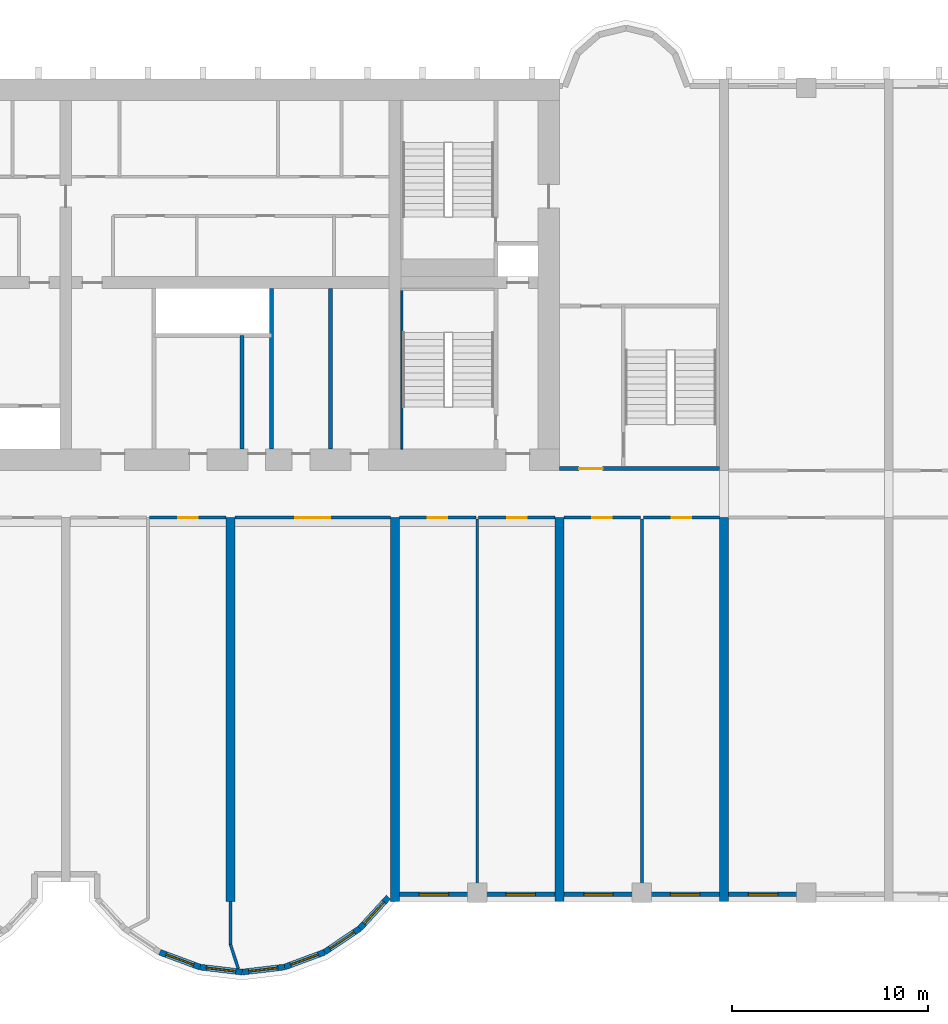
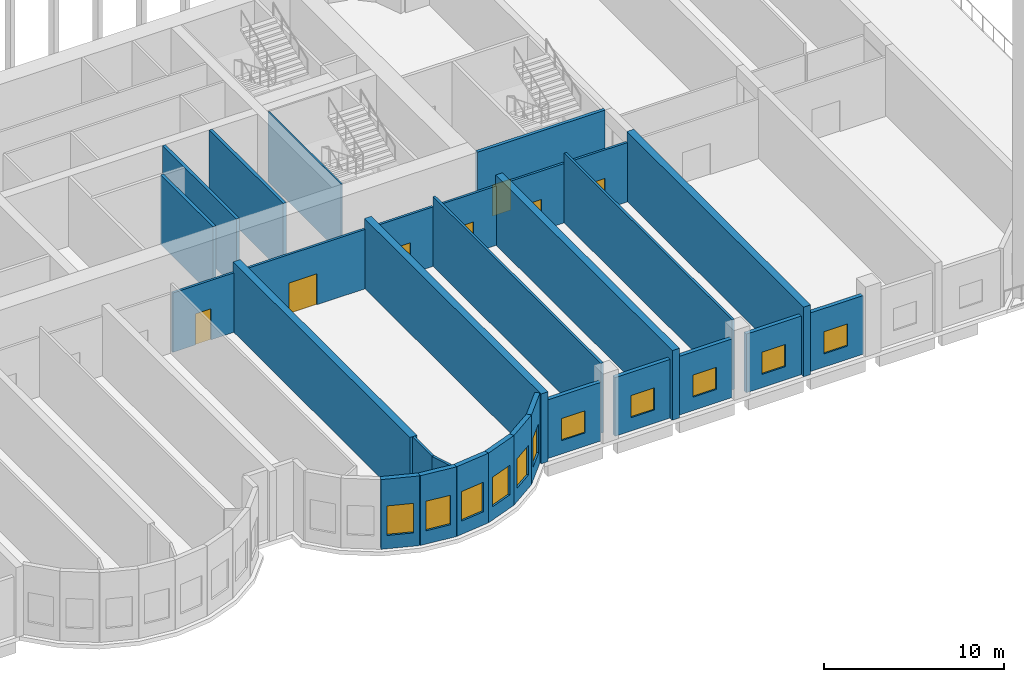
# One storey, part 6 of 11: 30 walls, 11 windows, 7 doors, 18 openings.
"""IFC4 building model written with IfcOpenShell, lengths in metres."""

from ifc_helpers import new_model, si_unit, direction, frame, frame_2d, origin, place, context, subcontext, project, spatial, rectangle, extrude, source, transform, mapped, material, layer, layer_set, type_object, element, fill, save


model = new_model("IFC4")

# Units and contexts
model_context = context("Model", 3, precision=1e-05, world=origin(), true_north=direction((0.0, 1.0)))
body_context = subcontext(model_context, "Body", "Model", "MODEL_VIEW")
ifc_project = project(units=[si_unit("LENGTHUNIT", "METRE"), si_unit("AREAUNIT", "SQUARE_METRE"), si_unit("VOLUMEUNIT", "CUBIC_METRE"), si_unit("PLANEANGLEUNIT", "RADIAN"), si_unit("MASSUNIT", "GRAM", prefix="KILO")], contexts=[model_context])

# Site, building, storey
site_placement = place(None, origin())
site = spatial("IfcSite", under=ifc_project, at=site_placement, CompositionType="ELEMENT")
building_placement = place(site_placement, origin())
building = spatial("IfcBuilding", under=site, at=building_placement, Name="Vanashikhar Sky Hotel", CompositionType="ELEMENT")
storey_placement = place(building_placement, frame((0.0, 0.0, 18.0)))
storey = spatial("IfcBuildingStorey", under=building, at=storey_placement, Name="L03", CompositionType="ELEMENT", Elevation=18.0)

# Walls
ifc_material_1 = material(Name="Concrete M80", Category="concrete")
ifc_layer_1 = layer(ifc_material_1, 0.449951171875)
ifc_layer_set_1 = layer_set([ifc_layer_1], Name="RC shear wall 450 Concrete M80")
wall_type_1 = type_object("IfcWallType", Name="RC shear wall 450 Concrete M80", PredefinedType="SHEAR", material=ifc_layer_set_1)
shared_shape_1 = source(origin(), body_context, "Body", "SweptSolid", [
    extrude(rectangle(XDim=19.60009765625, YDim=0.449951171875, at=frame_2d((9.800048828125, 0.0))), origin(), (0.0, 0.0, 1.0), 4.719970703125),
])
for number, where, z_axis, x_axis, name in (
    (1, (58.800048828125, 0.0, 0.0), (0.0, 0.0, 1.0), (0.0, 1.0, 0.0), "CW-L03-XW08-1"),
    (2, (67.199951171875, 0.0, 0.0), (0.0, 0.0, 1.0), (0.0, 1.0, 0.0), "CW-L03-XW09-1"),
    (3, (75.60009765625, 0.0, 0.0), (0.0, 0.0, 1.0), (0.0, 1.0, 0.0), "CW-L03-XW10-1"),
    (4, (84.0, 0.0, 0.0), (0.0, 0.0, 1.0), (0.0, 1.0, 0.0), "CW-L03-XW11-1"),
):
    element("IfcWall", number, at=place(storey_placement, frame(where, z_axis=z_axis, x_axis=x_axis)), inside=storey, type_object=wall_type_1, Name=name, PredefinedType="SHEAR", context=body_context, shape_type="MappedRepresentation", body=[
        mapped(shared_shape_1, transform((0.0, 0.0, 0.0), scale=1.0)),
    ])

# Wall, opening, window
ifc_material_2 = material(Name="Concrete M50", Category="concrete")
ifc_layer_2 = layer(ifc_material_2, 0.300048828125)
ifc_layer_set_2 = layer_set([ifc_layer_2], Name="Lobe wall 300")
wall_type_2 = type_object("IfcWallType", Name="Lobe wall 300", PredefinedType="SOLIDWALL", material=ifc_layer_set_2)
shared_shape_2 = source(origin(), body_context, "Body", "SweptSolid", [
    extrude(rectangle(XDim=2.17578125, YDim=0.300048828125, at=frame_2d((1.087890625, 0.0))), origin(), (0.0, 0.0, 1.0), 4.719970703125),
])
wall_1_placement = place(storey_placement, frame((55.20068359375, -2.58349609375, 0.0), z_axis=(0.0, 0.0, 1.0), x_axis=(0.93754555999, -0.347862505801, 0.0)))
wall_1 = element("IfcWall", 5, at=wall_1_placement, inside=storey, type_object=wall_type_2, Name="Lobe wall", PredefinedType="SOLIDWALL", context=body_context, shape_type="MappedRepresentation", body=[
    mapped(shared_shape_2, transform((0.0, 0.0, 0.0), scale=1.0)),
])
shared_shape_3 = source(origin(), body_context, "Body", "SweptSolid", [
    extrude(rectangle(XDim=1.5, YDim=2.0, at=frame_2d((0.75, 1.0))), frame((0.0, 0.16015625, 0.0), z_axis=(0.0, -1.0, 0.0), x_axis=(1.0, 0.0, 0.0)), (0.0, 0.0, 1.0), 0.320068359375),
])
opening_1_placement = place(wall_1_placement, frame((0.337890625, 0.0, 0.89990234375)))
opening_1 = element("IfcOpeningElement", 6, at=opening_1_placement, cuts=wall_1, Name="Opening WN-2", PredefinedType="OPENING", context=body_context, shape_type="MappedRepresentation", body=[
    mapped(shared_shape_3, transform((0.0, 0.0, 0.0), scale=1.0)),
])
ifc_material_3 = material(Name="Glass", Category="glass")
window_type_1 = type_object("IfcWindowType", Name="Lobe window 1500 x 2000", PartitioningType="SINGLE_PANEL", PredefinedType="WINDOW", material=ifc_material_3)
shared_shape_4 = source(origin(), body_context, "Body", "SweptSolid", [
    extrude(rectangle(XDim=1.5, YDim=2.0, at=frame_2d((0.75, 1.0))), frame((0.0, 0.030029296875, 0.0), z_axis=(0.0, -1.0, 0.0), x_axis=(1.0, 0.0, 0.0)), (0.0, 0.0, 1.0), 0.06005859375),
])
window_1_placement = place(opening_1_placement, origin())
window_1 = element("IfcWindow", 7, at=window_1_placement, inside=storey, type_object=window_type_1, Name="Window WN-2", OverallHeight=2.0, OverallWidth=1.5, PartitioningType="SINGLE_PANEL", PredefinedType="WINDOW", context=body_context, shape_type="MappedRepresentation", body=[
    mapped(shared_shape_4, transform((0.0, 0.0, 0.0), scale=1.0)),
])
fill(opening_1, window_1)

wall_2_placement = place(storey_placement, frame((63.59912109375, -2.58349609375, 0.0), z_axis=(0.0, 0.0, 1.0), x_axis=(0.829625727223, 0.558319937607, 0.0)))
wall_2 = element("IfcWall", 8, at=wall_2_placement, inside=storey, type_object=wall_type_2, Name="Lobe wall", PredefinedType="SOLIDWALL", context=body_context, shape_type="MappedRepresentation", body=[
    mapped(shared_shape_2, transform((0.0, 0.0, 0.0), scale=1.0)),
])
opening_2_placement = place(wall_2_placement, frame((0.337890625, 0.0, 0.89990234375)))
opening_2 = element("IfcOpeningElement", 9, at=opening_2_placement, cuts=wall_2, Name="Opening WN-2", PredefinedType="OPENING", context=body_context, shape_type="MappedRepresentation", body=[
    mapped(shared_shape_3, transform((0.0, 0.0, 0.0), scale=1.0)),
])
window_2_placement = place(opening_2_placement, origin())
window_2 = element("IfcWindow", 10, at=window_2_placement, inside=storey, type_object=window_type_1, Name="Window WN-2", OverallHeight=2.0, OverallWidth=1.5, PartitioningType="SINGLE_PANEL", PredefinedType="WINDOW", context=body_context, shape_type="MappedRepresentation", body=[
    mapped(shared_shape_4, transform((0.0, 0.0, 0.0), scale=1.0)),
])
fill(opening_2, window_2)

shared_shape_5 = source(origin(), body_context, "Body", "SweptSolid", [
    extrude(rectangle(XDim=2.174560546875, YDim=0.300048828125, at=frame_2d((1.08740234375, 0.0))), origin(), (0.0, 0.0, 1.0), 4.719970703125),
])
wall_3_placement = place(storey_placement, frame((57.240478515625, -3.34033203125, 0.0), z_axis=(0.0, 0.0, 1.0), x_axis=(0.993001132889, -0.118104826659, 0.0)))
wall_3 = element("IfcWall", 11, at=wall_3_placement, inside=storey, type_object=wall_type_2, Name="Lobe wall", PredefinedType="SOLIDWALL", context=body_context, shape_type="MappedRepresentation", body=[
    mapped(shared_shape_5, transform((0.0, 0.0, 0.0), scale=1.0)),
])
opening_3_placement = place(wall_3_placement, frame((0.33740234375, 0.0, 0.89990234375)))
opening_3 = element("IfcOpeningElement", 12, at=opening_3_placement, cuts=wall_3, Name="Opening WN-2", PredefinedType="OPENING", context=body_context, shape_type="MappedRepresentation", body=[
    mapped(shared_shape_3, transform((0.0, 0.0, 0.0), scale=1.0)),
])
window_3_placement = place(opening_3_placement, origin())
window_3 = element("IfcWindow", 13, at=window_3_placement, inside=storey, type_object=window_type_1, Name="Window WN-2", OverallHeight=2.0, OverallWidth=1.5, PartitioningType="SINGLE_PANEL", PredefinedType="WINDOW", context=body_context, shape_type="MappedRepresentation", body=[
    mapped(shared_shape_4, transform((0.0, 0.0, 0.0), scale=1.0)),
])
fill(opening_3, window_3)

shared_shape_6 = source(origin(), body_context, "Body", "SweptSolid", [
    extrude(rectangle(XDim=2.1748046875, YDim=0.300048828125, at=frame_2d((1.08740234375, 0.0))), origin(), (0.0, 0.0, 1.0), 4.719970703125),
])
wall_4_placement = place(storey_placement, frame((59.39990234375, -3.59716796875, 0.0), z_axis=(0.0, 0.0, 1.0), x_axis=(0.993002698611, 0.118091661648, 0.0)))
wall_4 = element("IfcWall", 14, at=wall_4_placement, inside=storey, type_object=wall_type_2, Name="Lobe wall", PredefinedType="SOLIDWALL", context=body_context, shape_type="MappedRepresentation", body=[
    mapped(shared_shape_6, transform((0.0, 0.0, 0.0), scale=1.0)),
])
opening_4_placement = place(wall_4_placement, frame((0.33740234375, 0.0, 0.89990234375)))
opening_4 = element("IfcOpeningElement", 15, at=opening_4_placement, cuts=wall_4, Name="Opening WN-2", PredefinedType="OPENING", context=body_context, shape_type="MappedRepresentation", body=[
    mapped(shared_shape_3, transform((0.0, 0.0, 0.0), scale=1.0)),
])
window_4_placement = place(opening_4_placement, origin())
window_4 = element("IfcWindow", 16, at=window_4_placement, inside=storey, type_object=window_type_1, Name="Window WN-2", OverallHeight=2.0, OverallWidth=1.5, PartitioningType="SINGLE_PANEL", PredefinedType="WINDOW", context=body_context, shape_type="MappedRepresentation", body=[
    mapped(shared_shape_4, transform((0.0, 0.0, 0.0), scale=1.0)),
])
fill(opening_4, window_4)

shared_shape_7 = source(origin(), body_context, "Body", "SweptSolid", [
    extrude(rectangle(XDim=2.175537109375, YDim=0.300048828125, at=frame_2d((1.087890625, 0.0))), origin(), (0.0, 0.0, 1.0), 4.719970703125),
])
wall_5_placement = place(storey_placement, frame((61.5595703125, -3.34033203125, 0.0), z_axis=(0.0, 0.0, 1.0), x_axis=(0.937531979054, 0.347899106424, 0.0)))
wall_5 = element("IfcWall", 17, at=wall_5_placement, inside=storey, type_object=wall_type_2, Name="Lobe wall", PredefinedType="SOLIDWALL", context=body_context, shape_type="MappedRepresentation", body=[
    mapped(shared_shape_7, transform((0.0, 0.0, 0.0), scale=1.0)),
])
opening_5_placement = place(wall_5_placement, frame((0.337890625, 0.0, 0.89990234375)))
opening_5 = element("IfcOpeningElement", 18, at=opening_5_placement, cuts=wall_5, Name="Opening WN-2", PredefinedType="OPENING", context=body_context, shape_type="MappedRepresentation", body=[
    mapped(shared_shape_3, transform((0.0, 0.0, 0.0), scale=1.0)),
])
window_5_placement = place(opening_5_placement, origin())
window_5 = element("IfcWindow", 19, at=window_5_placement, inside=storey, type_object=window_type_1, Name="Window WN-2", OverallHeight=2.0, OverallWidth=1.5, PartitioningType="SINGLE_PANEL", PredefinedType="WINDOW", context=body_context, shape_type="MappedRepresentation", body=[
    mapped(shared_shape_4, transform((0.0, 0.0, 0.0), scale=1.0)),
])
fill(opening_5, window_5)

shared_shape_8 = source(origin(), body_context, "Body", "SweptSolid", [
    extrude(rectangle(XDim=2.162109375, YDim=0.300048828125, at=frame_2d((1.0810546875, 0.0))), origin(), (0.0, 0.0, 1.0), 4.719970703125),
])
wall_6_placement = place(storey_placement, frame((65.404296875, -1.36865234375, 0.0), z_axis=(0.0, 0.0, 1.0), x_axis=(0.67537173084, 0.737477474355, 0.0)))
wall_6 = element("IfcWall", 20, at=wall_6_placement, inside=storey, type_object=wall_type_2, Name="Lobe wall", PredefinedType="SOLIDWALL", context=body_context, shape_type="MappedRepresentation", body=[
    mapped(shared_shape_8, transform((0.0, 0.0, 0.0), scale=1.0)),
])
opening_6_placement = place(wall_6_placement, frame((0.3310546875, 0.0, 0.89990234375)))
opening_6 = element("IfcOpeningElement", 21, at=opening_6_placement, cuts=wall_6, Name="Opening WN-2", PredefinedType="OPENING", context=body_context, shape_type="MappedRepresentation", body=[
    mapped(shared_shape_3, transform((0.0, 0.0, 0.0), scale=1.0)),
])
window_6_placement = place(opening_6_placement, origin())
window_6 = element("IfcWindow", 22, at=window_6_placement, inside=storey, type_object=window_type_1, Name="Window WN-2", OverallHeight=2.0, OverallWidth=1.5, PartitioningType="SINGLE_PANEL", PredefinedType="WINDOW", context=body_context, shape_type="MappedRepresentation", body=[
    mapped(shared_shape_4, transform((0.0, 0.0, 0.0), scale=1.0)),
])
fill(opening_6, window_6)

ifc_layer_3 = layer(ifc_material_2, 0.25)
ifc_layer_set_3 = layer_set([ifc_layer_3], Name="Rear and end board-marked wall 250")
wall_type_3 = type_object("IfcWallType", Name="Rear and end board-marked wall 250", PredefinedType="SOLIDWALL", material=ifc_layer_set_3)
shared_shape_9 = source(origin(), body_context, "Body", "SweptSolid", [
    extrude(rectangle(XDim=3.52490234375, YDim=0.25, at=frame_2d((1.762451171875, 0.0))), origin(), (0.0, 0.0, 1.0), 3.969970703125),
])
wall_7_placement = place(storey_placement, frame((67.425048828125, 0.375, 0.0), z_axis=(0.0, 0.0, 1.0), x_axis=(1.0, 0.0, 0.0)))
wall_7 = element("IfcWall", 23, at=wall_7_placement, inside=storey, type_object=wall_type_3, Name="Podium external wall", PredefinedType="SOLIDWALL", context=body_context, shape_type="MappedRepresentation", body=[
    mapped(shared_shape_9, transform((0.0, 0.0, 0.0), scale=1.0)),
])
shared_shape_10 = source(origin(), body_context, "Body", "SweptSolid", [
    extrude(rectangle(XDim=1.5, YDim=1.5, at=frame_2d((0.75, 0.75))), frame((0.0, 0.135009765625, 0.0), z_axis=(0.0, -1.0, 0.0), x_axis=(1.0, 0.0, 0.0)), (0.0, 0.0, 1.0), 0.27001953125),
])
opening_7_placement = place(wall_7_placement, frame((1.012451171875, 0.0, 0.89990234375)))
opening_7 = element("IfcOpeningElement", 24, at=opening_7_placement, cuts=wall_7, Name="Opening WN-1", PredefinedType="OPENING", context=body_context, shape_type="MappedRepresentation", body=[
    mapped(shared_shape_10, transform((0.0, 0.0, 0.0), scale=1.0)),
])
window_type_2 = type_object("IfcWindowType", Name="Window 1500 x 1500", PartitioningType="SINGLE_PANEL", PredefinedType="WINDOW", material=ifc_material_3)
shared_shape_11 = source(origin(), body_context, "Body", "SweptSolid", [
    extrude(rectangle(XDim=1.5, YDim=1.5, at=frame_2d((0.75, 0.75))), frame((0.0, 0.030029296875, 0.0), z_axis=(0.0, -1.0, 0.0), x_axis=(1.0, 0.0, 0.0)), (0.0, 0.0, 1.0), 0.06005859375),
])
window_7_placement = place(opening_7_placement, origin())
window_7 = element("IfcWindow", 25, at=window_7_placement, inside=storey, type_object=window_type_2, Name="Window WN-1", OverallHeight=1.5, OverallWidth=1.5, PartitioningType="SINGLE_PANEL", PredefinedType="WINDOW", context=body_context, shape_type="MappedRepresentation", body=[
    mapped(shared_shape_11, transform((0.0, 0.0, 0.0), scale=1.0)),
])
fill(opening_7, window_7)

wall_8_placement = place(storey_placement, frame((71.85009765625, 0.375, 0.0), z_axis=(0.0, 0.0, 1.0), x_axis=(1.0, 0.0, 0.0)))
wall_8 = element("IfcWall", 26, at=wall_8_placement, inside=storey, type_object=wall_type_3, Name="Podium external wall", PredefinedType="SOLIDWALL", context=body_context, shape_type="MappedRepresentation", body=[
    mapped(shared_shape_9, transform((0.0, 0.0, 0.0), scale=1.0)),
])
opening_8_placement = place(wall_8_placement, frame((1.012451171875, 0.0, 0.89990234375)))
opening_8 = element("IfcOpeningElement", 27, at=opening_8_placement, cuts=wall_8, Name="Opening WN-1", PredefinedType="OPENING", context=body_context, shape_type="MappedRepresentation", body=[
    mapped(shared_shape_10, transform((0.0, 0.0, 0.0), scale=1.0)),
])
window_8_placement = place(opening_8_placement, origin())
window_8 = element("IfcWindow", 28, at=window_8_placement, inside=storey, type_object=window_type_2, Name="Window WN-1", OverallHeight=1.5, OverallWidth=1.5, PartitioningType="SINGLE_PANEL", PredefinedType="WINDOW", context=body_context, shape_type="MappedRepresentation", body=[
    mapped(shared_shape_11, transform((0.0, 0.0, 0.0), scale=1.0)),
])
fill(opening_8, window_8)

wall_9_placement = place(storey_placement, frame((80.25, 0.375, 0.0), z_axis=(0.0, 0.0, 1.0), x_axis=(1.0, 0.0, 0.0)))
wall_9 = element("IfcWall", 29, at=wall_9_placement, inside=storey, type_object=wall_type_3, Name="Podium external wall", PredefinedType="SOLIDWALL", context=body_context, shape_type="MappedRepresentation", body=[
    mapped(shared_shape_9, transform((0.0, 0.0, 0.0), scale=1.0)),
])
opening_9_placement = place(wall_9_placement, frame((1.012451171875, 0.0, 0.89990234375)))
opening_9 = element("IfcOpeningElement", 30, at=opening_9_placement, cuts=wall_9, Name="Opening WN-1", PredefinedType="OPENING", context=body_context, shape_type="MappedRepresentation", body=[
    mapped(shared_shape_10, transform((0.0, 0.0, 0.0), scale=1.0)),
])
window_9_placement = place(opening_9_placement, origin())
window_9 = element("IfcWindow", 31, at=window_9_placement, inside=storey, type_object=window_type_2, Name="Window WN-1", OverallHeight=1.5, OverallWidth=1.5, PartitioningType="SINGLE_PANEL", PredefinedType="WINDOW", context=body_context, shape_type="MappedRepresentation", body=[
    mapped(shared_shape_11, transform((0.0, 0.0, 0.0), scale=1.0)),
])
fill(opening_9, window_9)

wall_10_placement = place(storey_placement, frame((84.22509765625, 0.375, 0.0), z_axis=(0.0, 0.0, 1.0), x_axis=(1.0, 0.0, 0.0)))
wall_10 = element("IfcWall", 32, at=wall_10_placement, inside=storey, type_object=wall_type_3, Name="Podium external wall", PredefinedType="SOLIDWALL", context=body_context, shape_type="MappedRepresentation", body=[
    mapped(shared_shape_9, transform((0.0, 0.0, 0.0), scale=1.0)),
])
opening_10_placement = place(wall_10_placement, frame((1.012451171875, 0.0, 0.89990234375)))
opening_10 = element("IfcOpeningElement", 33, at=opening_10_placement, cuts=wall_10, Name="Opening WN-1", PredefinedType="OPENING", context=body_context, shape_type="MappedRepresentation", body=[
    mapped(shared_shape_10, transform((0.0, 0.0, 0.0), scale=1.0)),
])
window_10_placement = place(opening_10_placement, origin())
window_10 = element("IfcWindow", 34, at=window_10_placement, inside=storey, type_object=window_type_2, Name="Window WN-1", OverallHeight=1.5, OverallWidth=1.5, PartitioningType="SINGLE_PANEL", PredefinedType="WINDOW", context=body_context, shape_type="MappedRepresentation", body=[
    mapped(shared_shape_11, transform((0.0, 0.0, 0.0), scale=1.0)),
])
fill(opening_10, window_10)

shared_shape_12 = source(origin(), body_context, "Body", "SweptSolid", [
    extrude(rectangle(XDim=3.525146484375, YDim=0.25, at=frame_2d((1.7626953125, 0.0))), origin(), (0.0, 0.0, 1.0), 3.969970703125),
])
wall_11_placement = place(storey_placement, frame((75.824951171875, 0.375, 0.0), z_axis=(0.0, 0.0, 1.0), x_axis=(1.0, 0.0, 0.0)))
wall_11 = element("IfcWall", 35, at=wall_11_placement, inside=storey, type_object=wall_type_3, Name="Podium external wall", PredefinedType="SOLIDWALL", context=body_context, shape_type="MappedRepresentation", body=[
    mapped(shared_shape_12, transform((0.0, 0.0, 0.0), scale=1.0)),
])
opening_11_placement = place(wall_11_placement, frame((1.012451171875, 0.0, 0.89990234375)))
opening_11 = element("IfcOpeningElement", 36, at=opening_11_placement, cuts=wall_11, Name="Opening WN-1", PredefinedType="OPENING", context=body_context, shape_type="MappedRepresentation", body=[
    mapped(shared_shape_10, transform((0.0, 0.0, 0.0), scale=1.0)),
])
window_11_placement = place(opening_11_placement, origin())
window_11 = element("IfcWindow", 37, at=window_11_placement, inside=storey, type_object=window_type_2, Name="Window WN-1", OverallHeight=1.5, OverallWidth=1.5, PartitioningType="SINGLE_PANEL", PredefinedType="WINDOW", context=body_context, shape_type="MappedRepresentation", body=[
    mapped(shared_shape_11, transform((0.0, 0.0, 0.0), scale=1.0)),
])
fill(opening_11, window_11)

# Walls
ifc_material_4 = material(Name="Gypsum board partition")
ifc_layer_4 = layer(ifc_material_4, 0.14990234375)
ifc_layer_set_4 = layer_set([ifc_layer_4], Name="Service partition 150")
wall_type_4 = type_object("IfcWallType", Name="Service partition 150", PredefinedType="PARTITIONING", material=ifc_layer_set_4)
shared_shape_13 = source(origin(), body_context, "Body", "SweptSolid", [
    extrude(rectangle(XDim=8.199951171875, YDim=0.199951171875, at=frame_2d((4.10009765625, 0.0))), origin(), (0.0, 0.0, 1.0), 4.719970703125),
])
for number, where, z_axis, x_axis, name in (
    (38, (60.89990234375, 23.10009765625, 0.0), (0.0, 0.0, 1.0), (0.0, 1.0, 0.0), "Service partition 150"),
    (39, (63.89990234375, 23.10009765625, 0.0), (0.0, 0.0, 1.0), (0.0, 1.0, 0.0), "Service partition 150"),
):
    element("IfcWall", number, at=place(storey_placement, frame(where, z_axis=z_axis, x_axis=x_axis)), inside=storey, type_object=wall_type_4, Name=name, PredefinedType="PARTITIONING", context=body_context, shape_type="MappedRepresentation", body=[
        mapped(shared_shape_13, transform((0.0, 0.0, 0.0), scale=1.0)),
    ])
shared_shape_14 = source(origin(), body_context, "Body", "SweptSolid", [
    extrude(rectangle(XDim=5.7998046875, YDim=0.199951171875, at=frame_2d((2.89990234375, 0.0))), origin(), (0.0, 0.0, 1.0), 4.719970703125),
])
wall_12_placement = place(storey_placement, frame((59.39990234375, 23.10009765625, 0.0), z_axis=(0.0, 0.0, 1.0), x_axis=(0.0, 1.0, 0.0)))
element("IfcWall", 40, at=wall_12_placement, inside=storey, type_object=wall_type_4, Name="Service partition 150", PredefinedType="PARTITIONING", context=body_context, shape_type="MappedRepresentation", body=[
    mapped(shared_shape_14, transform((0.0, 0.0, 0.0), scale=1.0)),
])

# Wall, opening, door
ifc_layer_5 = layer(ifc_material_2, 0.199951171875)
ifc_layer_set_5 = layer_set([ifc_layer_5], Name="Stair wall 200")
wall_type_5 = type_object("IfcWallType", Name="Stair wall 200", PredefinedType="SOLIDWALL", material=ifc_layer_set_5)
shared_shape_15 = source(origin(), body_context, "Body", "SweptSolid", [
    extrude(rectangle(XDim=8.1748046875, YDim=0.199951171875, at=frame_2d((4.08740234375, 0.0))), origin(), (0.0, 0.0, 1.0), 4.719970703125),
])
wall_13_placement = place(storey_placement, frame((83.77490234375, 22.10009765625, 0.0), z_axis=(0.0, 0.0, 1.0), x_axis=(-1.0, 0.0, 0.0)))
wall_13 = element("IfcWall", 41, at=wall_13_placement, inside=storey, type_object=wall_type_5, Name="Stair wall 200", PredefinedType="SOLIDWALL", context=body_context, shape_type="MappedRepresentation", body=[
    mapped(shared_shape_15, transform((0.0, 0.0, 0.0), scale=1.0)),
])
shared_shape_16 = source(origin(), body_context, "Body", "SweptSolid", [
    extrude(rectangle(XDim=1.199951171875, YDim=2.10009765625, at=frame_2d((0.60009765625, 1.050048828125))), frame((0.0, 0.10986328125, 0.0), z_axis=(0.0, -1.0, 0.0), x_axis=(1.0, 0.0, 0.0)), (0.0, 0.0, 1.0), 0.219970703125),
])
opening_12_placement = place(wall_13_placement, frame((5.97509765625, 0.0, 0.0)))
opening_12 = element("IfcOpeningElement", 42, at=opening_12_placement, cuts=wall_13, Name="Opening DC-2", PredefinedType="OPENING", context=body_context, shape_type="MappedRepresentation", body=[
    mapped(shared_shape_16, transform((0.0, 0.0, 0.0), scale=1.0)),
])
ifc_material_5 = material(Name="Steel", Category="steel")
door_type_1 = type_object("IfcDoorType", Name="Firefighting lobby door 1200 FD120", OperationType="NOTDEFINED", PredefinedType="DOOR", material=ifc_material_5)
shared_shape_17 = source(origin(), body_context, "Body", "SweptSolid", [
    extrude(rectangle(XDim=1.199951171875, YDim=2.10009765625, at=frame_2d((0.60009765625, 1.050048828125))), frame((0.0, 0.02490234375, 0.0), z_axis=(0.0, -1.0, 0.0), x_axis=(1.0, 0.0, 0.0)), (0.0, 0.0, 1.0), 0.050048828125),
])
door_1_placement = place(opening_12_placement, origin())
door_1 = element("IfcDoor", 43, at=door_1_placement, inside=storey, type_object=door_type_1, Name="Firefighting lobby door 1200 FD120", OperationType="SINGLE_SWING_RIGHT", OverallHeight=2.10009765625, OverallWidth=1.199951171875, PredefinedType="DOOR", context=body_context, shape_type="MappedRepresentation", body=[
    mapped(shared_shape_17, transform((0.0, 0.0, 0.0), scale=1.0)),
])
fill(opening_12, door_1)

# Wall
ifc_layer_6 = layer(ifc_material_2, 0.10009765625)
ifc_layer_set_6 = layer_set([ifc_layer_6], Name="Stair infill wall 100")
wall_type_6 = type_object("IfcWallType", Name="Stair infill wall 100", PredefinedType="SOLIDWALL", material=ifc_layer_set_6)
shared_shape_18 = source(origin(), body_context, "Body", "SweptSolid", [
    extrude(rectangle(XDim=8.099853515625, YDim=0.10009765625, at=frame_2d((4.0498046875, 0.0))), origin(), (0.0, 0.0, 1.0), 4.719970703125),
])
wall_14_placement = place(storey_placement, frame((67.550048828125, 23.10009765625, 0.0), z_axis=(0.0, 0.0, 1.0), x_axis=(0.0, 1.0, 0.0)))
element("IfcWall", 44, at=wall_14_placement, inside=storey, type_object=wall_type_6, Name="Stair infill wall 100", PredefinedType="SOLIDWALL", context=body_context, shape_type="MappedRepresentation", body=[
    mapped(shared_shape_18, transform((0.0, 0.0, 0.0), scale=1.0)),
])

# Wall, opening, door
ifc_material_6 = material(Name="Gypsum plasterboard partition")
ifc_layer_7 = layer(ifc_material_6, 0.14990234375)
ifc_layer_set_7 = layer_set([ifc_layer_7], Name="Corridor and demising partition 150")
wall_type_7 = type_object("IfcWallType", Name="Corridor and demising partition 150", PredefinedType="PARTITIONING", material=ifc_layer_set_7)
shared_shape_19 = source(origin(), body_context, "Body", "SweptSolid", [
    extrude(rectangle(XDim=3.900146484375, YDim=0.14990234375, at=frame_2d((1.9501953125, 0.0))), origin(), (0.0, 0.0, 1.0), 4.02001953125),
])
wall_15_placement = place(storey_placement, frame((75.824951171875, 19.60009765625, 0.0), z_axis=(0.0, 0.0, 1.0), x_axis=(1.0, 0.0, 0.0)))
wall_15 = element("IfcWall", 45, at=wall_15_placement, inside=storey, type_object=wall_type_7, Name="W-L03-PW020", PredefinedType="PARTITIONING", context=body_context, shape_type="MappedRepresentation", body=[
    mapped(shared_shape_19, transform((0.0, 0.0, 0.0), scale=1.0)),
])
shared_shape_20 = source(origin(), body_context, "Body", "SweptSolid", [
    extrude(rectangle(XDim=1.0, YDim=2.10009765625, at=frame_2d((0.5, 1.050048828125))), frame((0.0, 0.0849609375, 0.0), z_axis=(0.0, -1.0, 0.0), x_axis=(1.0, 0.0, 0.0)), (0.0, 0.0, 1.0), 0.169921875),
])
opening_13_placement = place(wall_15_placement, frame((1.449951171875, 0.0, 0.0)))
opening_13 = element("IfcOpeningElement", 46, at=opening_13_placement, cuts=wall_15, Name="Opening D-01", PredefinedType="OPENING", context=body_context, shape_type="MappedRepresentation", body=[
    mapped(shared_shape_20, transform((0.0, 0.0, 0.0), scale=1.0)),
])
ifc_material_7 = material(Name="Timber fire door", Category="wood")
door_type_2 = type_object("IfcDoorType", Name="Guest entry door 1000 FD30S", OperationType="NOTDEFINED", PredefinedType="DOOR", material=ifc_material_7)
shared_shape_21 = source(origin(), body_context, "Body", "SweptSolid", [
    extrude(rectangle(XDim=1.0, YDim=2.10009765625, at=frame_2d((0.5, 1.050048828125))), frame((0.0, 0.02490234375, 0.0), z_axis=(0.0, -1.0, 0.0), x_axis=(1.0, 0.0, 0.0)), (0.0, 0.0, 1.0), 0.050048828125),
])
door_2_placement = place(opening_13_placement, origin())
door_2 = element("IfcDoor", 47, at=door_2_placement, inside=storey, type_object=door_type_2, Name="D-L03-015", OperationType="SINGLE_SWING_LEFT", OverallHeight=2.10009765625, OverallWidth=1.0, PredefinedType="DOOR", context=body_context, shape_type="MappedRepresentation", body=[
    mapped(shared_shape_21, transform((0.0, 0.0, 0.0), scale=1.0)),
])
fill(opening_13, door_2)

shared_shape_22 = source(origin(), body_context, "Body", "SweptSolid", [
    extrude(rectangle(XDim=7.9501953125, YDim=0.14990234375, at=frame_2d((3.97509765625, 0.0))), origin(), (0.0, 0.0, 1.0), 4.02001953125),
])
wall_16_placement = place(storey_placement, frame((59.02490234375, 19.60009765625, 0.0), z_axis=(0.0, 0.0, 1.0), x_axis=(1.0, 0.0, 0.0)))
wall_16 = element("IfcWall", 48, at=wall_16_placement, inside=storey, type_object=wall_type_7, Name="W-L03-PW016", PredefinedType="PARTITIONING", context=body_context, shape_type="MappedRepresentation", body=[
    mapped(shared_shape_22, transform((0.0, 0.0, 0.0), scale=1.0)),
])
shared_shape_23 = source(origin(), body_context, "Body", "SweptSolid", [
    extrude(rectangle(XDim=1.800048828125, YDim=2.10009765625, at=frame_2d((0.89990234375, 1.050048828125))), frame((0.0, 0.0849609375, 0.0), z_axis=(0.0, -1.0, 0.0), x_axis=(1.0, 0.0, 0.0)), (0.0, 0.0, 1.0), 0.169921875),
])
opening_14_placement = place(wall_16_placement, frame((3.074951171875, 0.0, 0.0)))
opening_14 = element("IfcOpeningElement", 49, at=opening_14_placement, cuts=wall_16, Name="Opening D-03", PredefinedType="OPENING", context=body_context, shape_type="MappedRepresentation", body=[
    mapped(shared_shape_23, transform((0.0, 0.0, 0.0), scale=1.0)),
])
door_type_3 = type_object("IfcDoorType", Name="Double leaf door 1800 FD30S", OperationType="NOTDEFINED", PredefinedType="DOOR", material=ifc_material_7)
shared_shape_24 = source(origin(), body_context, "Body", "SweptSolid", [
    extrude(rectangle(XDim=1.800048828125, YDim=2.10009765625, at=frame_2d((0.89990234375, 1.050048828125))), frame((0.0, 0.02490234375, 0.0), z_axis=(0.0, -1.0, 0.0), x_axis=(1.0, 0.0, 0.0)), (0.0, 0.0, 1.0), 0.050048828125),
])
door_3_placement = place(opening_14_placement, origin())
door_3 = element("IfcDoor", 50, at=door_3_placement, inside=storey, type_object=door_type_3, Name="D-L03-012", OperationType="DOUBLE_DOOR_SINGLE_SWING", OverallHeight=2.10009765625, OverallWidth=1.800048828125, PredefinedType="DOOR", context=body_context, shape_type="MappedRepresentation", body=[
    mapped(shared_shape_24, transform((0.0, 0.0, 0.0), scale=1.0)),
])
fill(opening_14, door_3)

shared_shape_25 = source(origin(), body_context, "Body", "SweptSolid", [
    extrude(rectangle(XDim=3.89990234375, YDim=0.14990234375, at=frame_2d((1.949951171875, 0.0))), origin(), (0.0, 0.0, 1.0), 4.02001953125),
])
wall_17_placement = place(storey_placement, frame((54.675048828125, 19.60009765625, 0.0), z_axis=(0.0, 0.0, 1.0), x_axis=(1.0, 0.0, 0.0)))
wall_17 = element("IfcWall", 51, at=wall_17_placement, inside=storey, type_object=wall_type_7, Name="W-L03-PW014", PredefinedType="PARTITIONING", context=body_context, shape_type="MappedRepresentation", body=[
    mapped(shared_shape_25, transform((0.0, 0.0, 0.0), scale=1.0)),
])
opening_15_placement = place(wall_17_placement, frame((1.449951171875, 0.0, 0.0)))
opening_15 = element("IfcOpeningElement", 52, at=opening_15_placement, cuts=wall_17, Name="Opening D-01", PredefinedType="OPENING", context=body_context, shape_type="MappedRepresentation", body=[
    mapped(shared_shape_20, transform((0.0, 0.0, 0.0), scale=1.0)),
])
door_4_placement = place(opening_15_placement, origin())
door_4 = element("IfcDoor", 53, at=door_4_placement, inside=storey, type_object=door_type_2, Name="D-L03-011", OperationType="SINGLE_SWING_RIGHT", OverallHeight=2.10009765625, OverallWidth=1.0, PredefinedType="DOOR", context=body_context, shape_type="MappedRepresentation", body=[
    mapped(shared_shape_21, transform((0.0, 0.0, 0.0), scale=1.0)),
])
fill(opening_15, door_4)

wall_18_placement = place(storey_placement, frame((67.425048828125, 19.60009765625, 0.0), z_axis=(0.0, 0.0, 1.0), x_axis=(1.0, 0.0, 0.0)))
wall_18 = element("IfcWall", 54, at=wall_18_placement, inside=storey, type_object=wall_type_7, Name="W-L03-PW017", PredefinedType="PARTITIONING", context=body_context, shape_type="MappedRepresentation", body=[
    mapped(shared_shape_25, transform((0.0, 0.0, 0.0), scale=1.0)),
])
opening_16_placement = place(wall_18_placement, frame((1.449951171875, 0.0, 0.0)))
opening_16 = element("IfcOpeningElement", 55, at=opening_16_placement, cuts=wall_18, Name="Opening D-01", PredefinedType="OPENING", context=body_context, shape_type="MappedRepresentation", body=[
    mapped(shared_shape_20, transform((0.0, 0.0, 0.0), scale=1.0)),
])
door_5_placement = place(opening_16_placement, origin())
door_5 = element("IfcDoor", 56, at=door_5_placement, inside=storey, type_object=door_type_2, Name="D-L03-013", OperationType="SINGLE_SWING_LEFT", OverallHeight=2.10009765625, OverallWidth=1.0, PredefinedType="DOOR", context=body_context, shape_type="MappedRepresentation", body=[
    mapped(shared_shape_21, transform((0.0, 0.0, 0.0), scale=1.0)),
])
fill(opening_16, door_5)

wall_19_placement = place(storey_placement, frame((71.47509765625, 19.60009765625, 0.0), z_axis=(0.0, 0.0, 1.0), x_axis=(1.0, 0.0, 0.0)))
wall_19 = element("IfcWall", 57, at=wall_19_placement, inside=storey, type_object=wall_type_7, Name="W-L03-PW018", PredefinedType="PARTITIONING", context=body_context, shape_type="MappedRepresentation", body=[
    mapped(shared_shape_25, transform((0.0, 0.0, 0.0), scale=1.0)),
])
opening_17_placement = place(wall_19_placement, frame((1.449951171875, 0.0, 0.0)))
opening_17 = element("IfcOpeningElement", 58, at=opening_17_placement, cuts=wall_19, Name="Opening D-01", PredefinedType="OPENING", context=body_context, shape_type="MappedRepresentation", body=[
    mapped(shared_shape_20, transform((0.0, 0.0, 0.0), scale=1.0)),
])
door_6_placement = place(opening_17_placement, origin())
door_6 = element("IfcDoor", 59, at=door_6_placement, inside=storey, type_object=door_type_2, Name="D-L03-014", OperationType="SINGLE_SWING_RIGHT", OverallHeight=2.10009765625, OverallWidth=1.0, PredefinedType="DOOR", context=body_context, shape_type="MappedRepresentation", body=[
    mapped(shared_shape_21, transform((0.0, 0.0, 0.0), scale=1.0)),
])
fill(opening_17, door_6)

wall_20_placement = place(storey_placement, frame((79.875, 19.60009765625, 0.0), z_axis=(0.0, 0.0, 1.0), x_axis=(1.0, 0.0, 0.0)))
wall_20 = element("IfcWall", 60, at=wall_20_placement, inside=storey, type_object=wall_type_7, Name="W-L03-PW021", PredefinedType="PARTITIONING", context=body_context, shape_type="MappedRepresentation", body=[
    mapped(shared_shape_25, transform((0.0, 0.0, 0.0), scale=1.0)),
])
opening_18_placement = place(wall_20_placement, frame((1.449951171875, 0.0, 0.0)))
opening_18 = element("IfcOpeningElement", 61, at=opening_18_placement, cuts=wall_20, Name="Opening D-01", PredefinedType="OPENING", context=body_context, shape_type="MappedRepresentation", body=[
    mapped(shared_shape_20, transform((0.0, 0.0, 0.0), scale=1.0)),
])
door_7_placement = place(opening_18_placement, origin())
door_7 = element("IfcDoor", 62, at=door_7_placement, inside=storey, type_object=door_type_2, Name="D-L03-016", OperationType="SINGLE_SWING_RIGHT", OverallHeight=2.10009765625, OverallWidth=1.0, PredefinedType="DOOR", context=body_context, shape_type="MappedRepresentation", body=[
    mapped(shared_shape_21, transform((0.0, 0.0, 0.0), scale=1.0)),
])
fill(opening_18, door_7)

# Walls
shared_shape_26 = source(origin(), body_context, "Body", "SweptSolid", [
    extrude(rectangle(XDim=18.625, YDim=0.14990234375, at=frame_2d((9.3125, 0.0))), origin(), (0.0, 0.0, 1.0), 4.719970703125),
])
for number, where, z_axis, x_axis, name in (
    (63, (71.39990234375, 0.89990234375, 0.0), (0.0, 0.0, 1.0), (0.0, 1.0, 0.0), "W-L03-PW019"),
    (64, (79.800048828125, 0.89990234375, 0.0), (0.0, 0.0, 1.0), (0.0, 1.0, 0.0), "W-L03-PW022"),
):
    element("IfcWall", number, at=place(storey_placement, frame(where, z_axis=z_axis, x_axis=x_axis)), inside=storey, type_object=wall_type_7, Name=name, PredefinedType="PARTITIONING", context=body_context, shape_type="MappedRepresentation", body=[
        mapped(shared_shape_26, transform((0.0, 0.0, 0.0), scale=1.0)),
    ])
shared_shape_27 = source(origin(), body_context, "Body", "SweptSolid", [
    extrude(rectangle(XDim=2.177978515625, YDim=0.14990234375, at=frame_2d((1.0888671875, 0.0))), origin(), (0.0, 0.0, 1.0), 4.719970703125),
])
wall_21_placement = place(storey_placement, frame((58.800048828125, -2.177978515625, 0.0), z_axis=(0.0, 0.0, 1.0), x_axis=(0.0, 1.0, 0.0)))
element("IfcWall", 65, at=wall_21_placement, inside=storey, type_object=wall_type_7, Name="W-L03-PW026", PredefinedType="PARTITIONING", context=body_context, shape_type="MappedRepresentation", body=[
    mapped(shared_shape_27, transform((0.0, 0.0, 0.0), scale=1.0)),
])
shared_shape_28 = source(origin(), body_context, "Body", "SweptSolid", [
    extrude(rectangle(XDim=1.308349609375, YDim=0.14990234375, at=frame_2d((0.654296875, 0.0))), origin(), (0.0, 0.0, 1.0), 4.719970703125),
])
wall_22_placement = place(storey_placement, frame((59.201904296875, -3.423095703125, 0.0), z_axis=(0.0, 0.0, 1.0), x_axis=(-0.307144529633, 0.951662880392, 0.0)))
element("IfcWall", 66, at=wall_22_placement, inside=storey, type_object=wall_type_7, Name="W-L03-PW026B0", PredefinedType="PARTITIONING", context=body_context, shape_type="MappedRepresentation", body=[
    mapped(shared_shape_28, transform((0.0, 0.0, 0.0), scale=1.0)),
])

save(model, "model.ifc")
